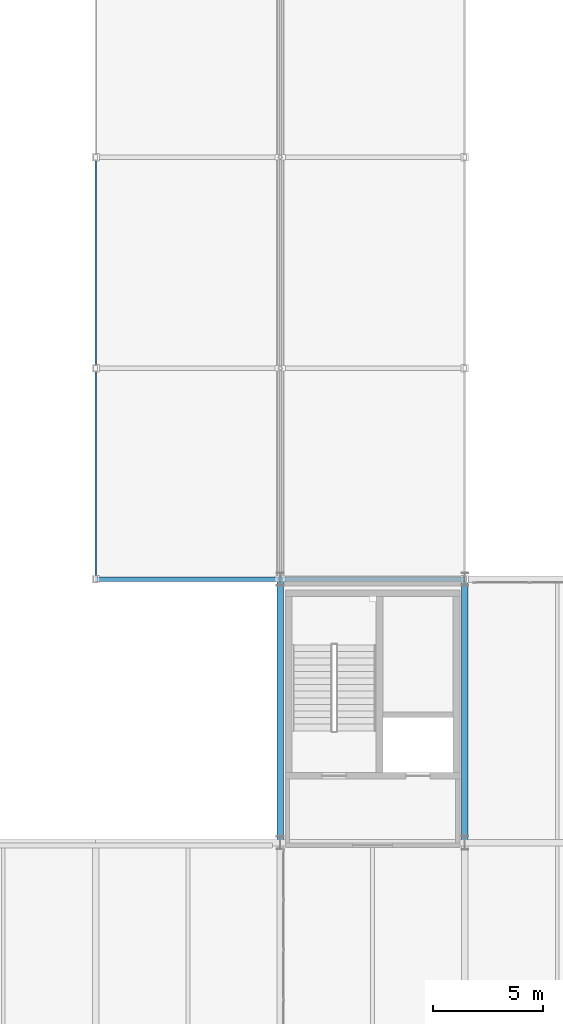
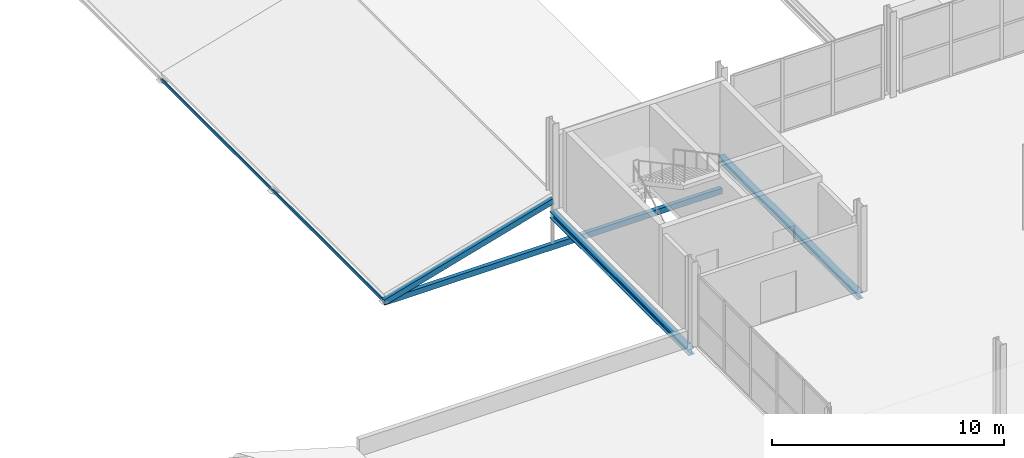
# One storey, part 64 of 130: 4 members, 2 beams.
"""IFC4 building model written with IfcOpenShell, lengths in metres."""

import ifcopenshell
import ifcopenshell.guid

model = None  # the IFC model being written
_history = None  # IfcOwnerHistory: only IFC2X3 demands one
_inside = {}  # id of a spatial element -> (the spatial element, [elements in it])
_under = {}  # id of a project, library or spatial element -> (it, [spatial elements below it])
_declared = {}  # id of a project -> (the project, [libraries it declares])
_typed = {}  # id of a type object -> (the type object, [elements of that type])
_made_of = {}  # id of a material, layer set ... -> (it, [elements and type objects made of it])


def new_model(schema):
    """Start an empty IFC model of exactly this schema.

    Asked for "IFC4X3", IfcOpenShell would pick the latest addendum, in which some entities
    have other attributes; the version numbers below select the first issue.
    IFC2X3 requires an IfcOwnerHistory on every rooted entity: one is made here for all.
    """
    global model, _history
    if schema == "IFC4X3":
        model = ifcopenshell.file(schema_version=(4, 3, 0, 0))
    else:
        model = ifcopenshell.file(schema=schema)
    _inside.clear()
    _under.clear()
    _declared.clear()
    _typed.clear()
    _made_of.clear()
    _history = None
    if model.schema == "IFC2X3":
        org = make("IfcOrganization", Name="unknown")
        user = make(
            "IfcPersonAndOrganization",
            ThePerson=make("IfcPerson", FamilyName="unknown"),
            TheOrganization=org,
        )
        app = make(
            "IfcApplication",
            ApplicationDeveloper=org,
            Version="unknown",
            ApplicationFullName="unknown",
            ApplicationIdentifier="unknown",
        )
        _history = make(
            "IfcOwnerHistory",
            OwningUser=user,
            OwningApplication=app,
            ChangeAction="ADDED",
            CreationDate=0,
        )
    return model


def make(cls, **values):
    """One entity of the class cls with the attributes given. An attribute that is None is left unset."""
    return model.create_entity(
        cls, **{name: value for name, value in values.items() if value is not None}
    )


def rooted(cls, **values):
    """An entity with a GlobalId (a new one), such as an element, a storey or a relation."""
    return make(cls, GlobalId=ifcopenshell.guid.new(), OwnerHistory=_history, **values)


def si_unit(unit_type, name, prefix=None):
    """IfcSIUnit, for example si_unit("LENGTHUNIT", "METRE", prefix="MILLI")."""
    return make("IfcSIUnit", UnitType=unit_type, Prefix=prefix, Name=name)


def assignment(units):
    """IfcUnitAssignment: the units of a project."""
    return None if units is None else make("IfcUnitAssignment", Units=units)


def point(xyz):
    """IfcCartesianPoint."""
    return None if xyz is None else make("IfcCartesianPoint", Coordinates=xyz)


def direction(xyz):
    """IfcDirection."""
    return None if xyz is None else make("IfcDirection", DirectionRatios=xyz)


def frame(location, z_axis=None, x_axis=None):
    """IfcAxis2Placement3D, a coordinate frame: its origin and axes. An axis left out is left unset."""
    return make(
        "IfcAxis2Placement3D",
        Location=point(location),
        Axis=direction(z_axis),
        RefDirection=direction(x_axis),
    )


def frame_2d(location, x_axis=None):
    """IfcAxis2Placement2D, a coordinate frame in the plane: its origin and x axis."""
    return make(
        "IfcAxis2Placement2D", Location=point(location), RefDirection=direction(x_axis)
    )


def origin():
    """The frame at (0, 0, 0) with its axes left unset."""
    return frame((0.0, 0.0, 0.0))


def origin_2d():
    """The frame at (0, 0) in the plane with its x axis left unset."""
    return frame_2d((0.0, 0.0))


def place(relative_to, where):
    """IfcLocalPlacement: puts the frame where relative to a parent placement (None: the world)."""
    return make(
        "IfcLocalPlacement", PlacementRelTo=relative_to, RelativePlacement=where
    )


def context(
    kind, dimensions, precision=None, world=None, true_north=None, identifier=None
):
    """IfcGeometricRepresentationContext, for example the 3D "Model" context."""
    return make(
        "IfcGeometricRepresentationContext",
        ContextIdentifier=identifier,
        ContextType=kind,
        CoordinateSpaceDimension=dimensions,
        Precision=precision,
        WorldCoordinateSystem=world,
        TrueNorth=true_north,
    )


def subcontext(parent, identifier, kind, view, scale=None):
    """IfcGeometricRepresentationSubContext, for example "Body" below "Model"."""
    return make(
        "IfcGeometricRepresentationSubContext",
        ContextIdentifier=identifier,
        ContextType=kind,
        ParentContext=parent,
        TargetScale=scale,
        TargetView=view,
    )


def project(units=None, contexts=None):
    """IfcProject with its units and contexts."""
    return rooted(
        "IfcProject",
        Name="project",
        RepresentationContexts=contexts,
        UnitsInContext=assignment(units),
    )


def spatial(cls, under=None, at=None, **own):
    """A site, building, storey or space (cls), placed at a placement, below another one or the project."""
    s = rooted(cls, ObjectPlacement=at, **own)
    if under is not None:
        _under.setdefault(under.id(), (under, []))[1].append(s)
    return s


def profile(cls, at=None, kind="AREA", **sizes):
    """A parametric profile (cls). Its sizes go by their IFC names, for example OverallWidth=200.0."""
    return make(cls, ProfileType=kind, Position=at, **sizes)


def hollow_rectangle(**sizes):
    """IfcRectangleHollowProfileDef."""
    return profile("IfcRectangleHollowProfileDef", **sizes)


def i_section(**sizes):
    """IfcIShapeProfileDef."""
    return profile("IfcIShapeProfileDef", **sizes)


def extrude(swept, where, along, depth):
    """IfcExtrudedAreaSolid: the profile swept, set in the frame where, extruded along a direction by depth."""
    return make(
        "IfcExtrudedAreaSolid",
        SweptArea=swept,
        Position=where,
        ExtrudedDirection=direction(along),
        Depth=depth,
    )


def shape(context_of_items, identifier, shape_type, items):
    """IfcShapeRepresentation: the items that make up one representation, for example the "Body"."""
    return make(
        "IfcShapeRepresentation",
        ContextOfItems=context_of_items,
        RepresentationIdentifier=identifier,
        RepresentationType=shape_type,
        Items=items,
    )


def material(Name=None, Category=None):
    """IfcMaterial."""
    return make("IfcMaterial", Name=Name, Category=Category)


def material_profile(
    of_material, cross_section, Name=None, Category=None, Priority=None
):
    """IfcMaterialProfile: a cross section and its material."""
    return make(
        "IfcMaterialProfile",
        Name=Name,
        Material=of_material,
        Profile=cross_section,
        Priority=Priority,
        Category=Category,
    )


def profile_set(profiles, Name=None, composite=None):
    """IfcMaterialProfileSet."""
    return make(
        "IfcMaterialProfileSet",
        Name=Name,
        MaterialProfiles=profiles,
        CompositeProfile=composite,
    )


def made_of(thing, what):
    """Note that an element or type object is made of a material, layer set ...; save() writes the relation."""
    if what is not None:
        _made_of.setdefault(what.id(), (what, []))[1].append(thing)
    return thing


def type_object(cls, material=None, **own):
    """A type object (cls), such as IfcWallType, which elements share."""
    return made_of(rooted(cls, **own), material)


def element(
    cls,
    number,
    at=None,
    inside=None,
    cuts=None,
    type_object=None,
    material=None,
    context=None,
    identifier="Body",
    shape_type=None,
    held_by="IfcProductDefinitionShape",
    body=None,
    shapes=None,
    **own,
):
    """One element of the class cls, such as IfcWall. Its Tag is "e" and its number.

    at: its placement. inside: the storey or other place that contains it. cuts: it is an
    opening in that element (IfcRelVoidsElement). A single representation is given by context,
    identifier, shape_type and body (its items); several are given by shapes. held_by: the class
    of the entity that holds the representations. save() writes the other relations.
    """
    e = rooted(cls, Tag="e%d" % number, ObjectPlacement=at, **own)
    if body is not None:
        shapes = [shape(context, identifier, shape_type, body)]
    if shapes is not None:
        e.Representation = make(held_by, Representations=shapes)
    if inside is not None:
        _inside.setdefault(inside.id(), (inside, []))[1].append(e)
    if cuts is not None:
        rooted(
            "IfcRelVoidsElement", RelatingBuildingElement=cuts, RelatedOpeningElement=e
        )
    if type_object is not None:
        _typed.setdefault(type_object.id(), (type_object, []))[1].append(e)
    return made_of(e, material)


def aggregate(whole, parts):
    """IfcRelAggregates: a whole, such as a stair, and the parts it consists of."""
    return rooted("IfcRelAggregates", RelatingObject=whole, RelatedObjects=parts)


def save(model, path):
    """Write the relations noted so far, then the file.

    IfcRelAggregates (storeys below a building ...), IfcRelContainedInSpatialStructure (elements
    in a storey), IfcRelDefinesByType, IfcRelAssociatesMaterial and IfcRelDeclares: one each for
    every whole, place, type object, material and project.
    """
    for whole, parts in _under.values():
        aggregate(whole, parts)
    for where, things in _inside.values():
        rooted(
            "IfcRelContainedInSpatialStructure",
            RelatedElements=things,
            RelatingStructure=where,
        )
    for kind, things in _typed.values():
        rooted("IfcRelDefinesByType", RelatedObjects=things, RelatingType=kind)
    for what, things in _made_of.values():
        rooted("IfcRelAssociatesMaterial", RelatedObjects=things, RelatingMaterial=what)
    for by, libraries in _declared.values():
        rooted("IfcRelDeclares", RelatingContext=by, RelatedDefinitions=libraries)
    model.write(path)


model = new_model("IFC4")

# Units and contexts
model_context = context("Model", 3, precision=1e-05, world=origin(), true_north=direction((0.0, 1.0)))
body_context = subcontext(model_context, "Body", "Model", "MODEL_VIEW")
ifc_project = project(units=[si_unit("LENGTHUNIT", "METRE"), si_unit("AREAUNIT", "SQUARE_METRE"), si_unit("VOLUMEUNIT", "CUBIC_METRE"), si_unit("PLANEANGLEUNIT", "RADIAN"), si_unit("MASSUNIT", "GRAM", prefix="KILO")], contexts=[model_context])

# Site, building, storey
site_placement = place(None, origin())
site = spatial("IfcSite", under=ifc_project, at=site_placement, CompositionType="ELEMENT")
building_placement = place(site_placement, origin())
building = spatial("IfcBuilding", under=site, at=building_placement, Name="Veltarok Museum of Natural Sciences", CompositionType="ELEMENT")
storey_placement = place(building_placement, frame((0.0, 0.0, 12.89990234375)))
storey = spatial("IfcBuildingStorey", under=building, at=storey_placement, Name="L02", CompositionType="ELEMENT", Elevation=12.89990234375)

# Members
ifc_material_1 = material(Name="Oxide-red painted Steel S355J2", Category="steel")
ifc_material_profile_1 = material_profile(ifc_material_1, hollow_rectangle(XDim=0.199951171875, YDim=0.300048828125, WallThickness=0.012451171875, at=origin_2d()), Name="RHS 300x200x12.5")
ifc_profile_set_1 = profile_set([ifc_material_profile_1], Name="Oxide-red painted Steel S355J2")
member_type_1 = type_object("IfcMemberType", Name="Passage Portal Chord RHS 300x200x12.5", PredefinedType="CHORD", material=ifc_profile_set_1)
member_1_placement = place(storey_placement, frame((31.60009765625, 72.0, -2.099853515625), z_axis=(1.0, 0.0, 0.0), x_axis=(0.0, 1.0, 0.0)))
element("IfcMember", 1, at=member_1_placement, inside=storey, type_object=member_type_1, Name="Passage Portal Tie Chord Y=72.0", PredefinedType="CHORD", context=body_context, shape_type="SweptSolid", body=[
    extrude(hollow_rectangle(XDim=0.199951171875, YDim=0.300048828125, WallThickness=0.012451171875, at=origin_2d()), origin(), (0.0, 0.0, 1.0), 16.7998046875),
])
member_2_placement = place(storey_placement, frame((31.60009765625, 72.0, -2.099853515625), z_axis=(0.96152605678, 0.0, 0.274713745804), x_axis=(0.0, 1.0, 0.0)))
element("IfcMember", 2, at=member_2_placement, inside=storey, type_object=member_type_1, Name="Passage Portal Chord Y=72.0 1", PredefinedType="CHORD", context=body_context, shape_type="SweptSolid", body=[
    extrude(hollow_rectangle(XDim=0.199951171875, YDim=0.300048828125, WallThickness=0.012451171875, at=origin_2d()), origin(), (0.0, 0.0, 1.0), 8.736083984375),
])

# Beams
ifc_material_2 = material(Name="Steel S355J2", Category="steel")
ifc_material_profile_2 = material_profile(ifc_material_2, i_section(OverallWidth=0.300048828125, OverallDepth=0.330078125, WebThickness=0.009521484375, FlangeThickness=0.0166015625, FilletRadius=0.027099609375, at=origin_2d()), Name="HEA 340")
ifc_profile_set_2 = profile_set([ifc_material_profile_2], Name="Steel S355J2")
beam_type = type_object("IfcBeamType", Name="Perimeter Upper Spandrel HEA 340", PredefinedType="SPANDREL", material=ifc_profile_set_2)
for number, where, z_axis, x_axis, name in (
    (3, (40.0, 60.0, -0.414794921875), (0.0, 1.0, 0.0), (-1.0, 0.0, 0.0), "Beam BM-SP05 L02 5/G-H"),
    (4, (48.39990234375, 60.0, -0.414794921875), (0.0, 1.0, 0.0), (-1.0, 0.0, 0.0), "Beam BM-SP05 L02 6/G-H"),
):
    element("IfcBeam", number, at=place(storey_placement, frame(where, z_axis=z_axis, x_axis=x_axis)), inside=storey, type_object=beam_type, Name=name, PredefinedType="SPANDREL", context=body_context, shape_type="SweptSolid", body=[
        extrude(i_section(OverallWidth=0.300048828125, OverallDepth=0.330078125, WebThickness=0.009521484375, FlangeThickness=0.0166015625, FilletRadius=0.027099609375, at=origin_2d()), origin(), (0.0, 0.0, 1.0), 12.0),
    ])

# Members
ifc_material_profile_3 = material_profile(ifc_material_2, hollow_rectangle(XDim=0.06005859375, YDim=0.159912109375, WallThickness=0.0048828125, at=origin_2d()), Name="RHS 160x60x5")
ifc_profile_set_3 = profile_set([ifc_material_profile_3], Name="Steel S355J2")
member_type_2 = type_object("IfcMemberType", Name="Sawtooth Roof Purlin RHS 160x60x5", PredefinedType="PURLIN", material=ifc_profile_set_3)
member_3_placement = place(storey_placement, frame((31.60009765625, 72.0, -2.0498046875), z_axis=(0.0, 1.0, 0.0), x_axis=(-1.0, 0.0, 0.0)))
element("IfcMember", 5, at=member_3_placement, inside=storey, type_object=member_type_2, Name="Passage Longitudinal Tie W H-J", PredefinedType="PURLIN", context=body_context, shape_type="SweptSolid", body=[
    extrude(hollow_rectangle(XDim=0.06005859375, YDim=0.159912109375, WallThickness=0.0048828125, at=origin_2d()), origin(), (0.0, 0.0, 1.0), 9.60009765625),
])
member_4_placement = place(storey_placement, frame((31.60009765625, 81.60009765625, -2.0498046875), z_axis=(0.0, 1.0, 0.0), x_axis=(-1.0, 0.0, 0.0)))
element("IfcMember", 6, at=member_4_placement, inside=storey, type_object=member_type_2, Name="Passage Longitudinal Tie W J-K", PredefinedType="PURLIN", context=body_context, shape_type="SweptSolid", body=[
    extrude(hollow_rectangle(XDim=0.06005859375, YDim=0.159912109375, WallThickness=0.0048828125, at=origin_2d()), origin(), (0.0, 0.0, 1.0), 9.599853515625),
])

save(model, "model.ifc")
